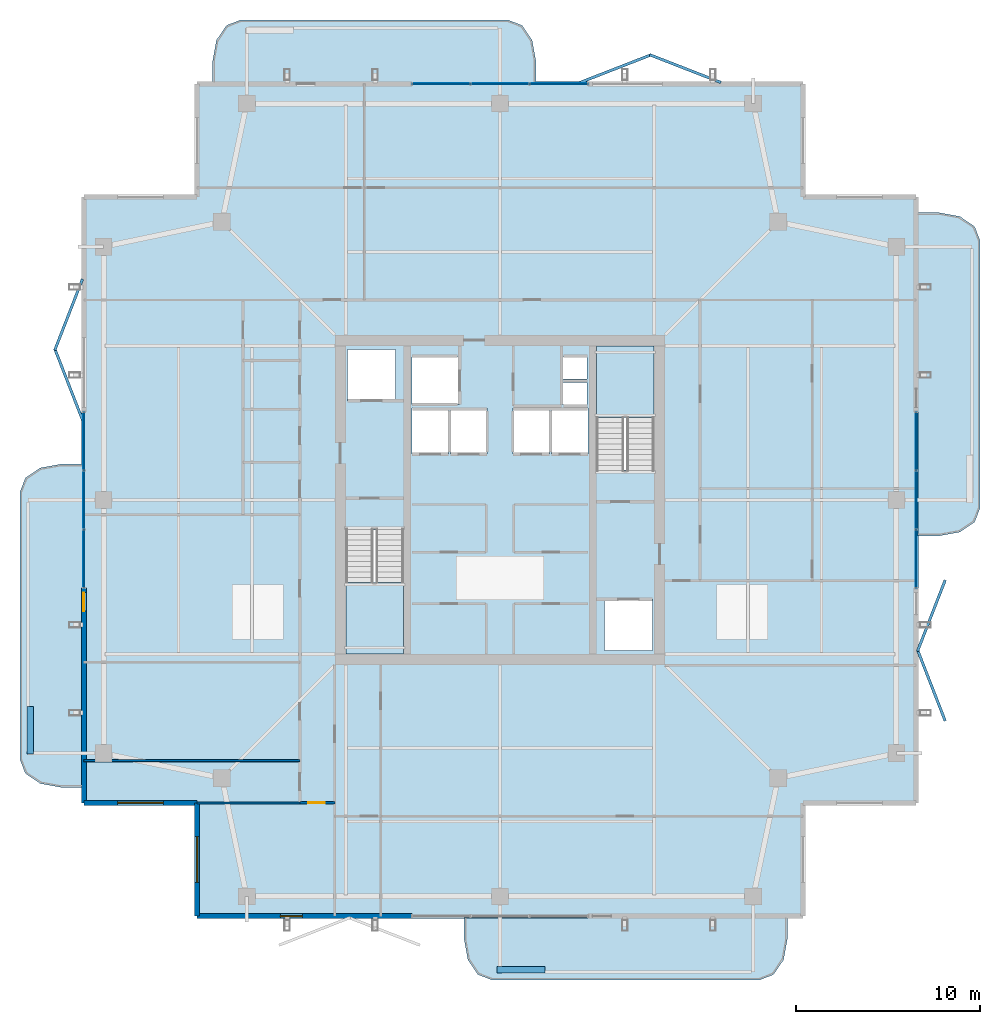
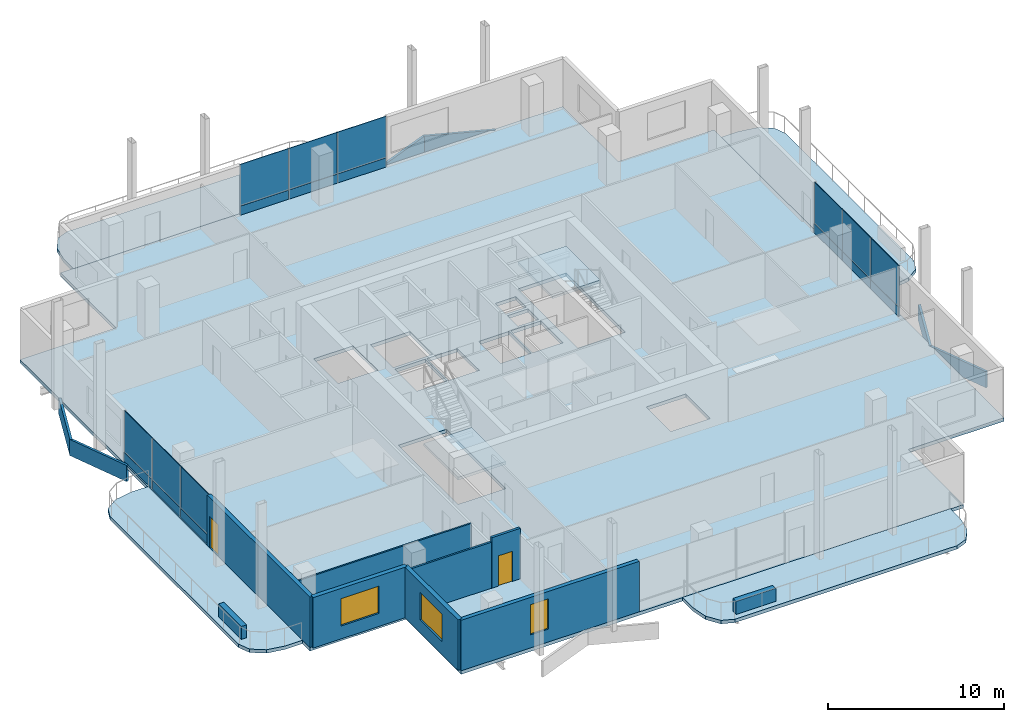
# One storey, part 13 of 20: 24 plates, 9 walls, 7 slabs, 3 windows, 2 doors, 5 openings, 5 elements without a shape of their own.
"""IFC4 building model written with IfcOpenShell, lengths in metres."""

from ifc_helpers import new_model, si_unit, direction, frame, frame_2d, origin, origin_2d, place, context, subcontext, project, spatial, polyline, rectangle, outline, extrude, material, layer, layer_set, type_object, element, fill, aggregate, save


model = new_model("IFC4")

# Units and contexts
model_context = context("Model", 3, precision=1e-05, world=origin(), true_north=direction((0.0, 1.0)))
body_context = subcontext(model_context, "Body", "Model", "MODEL_VIEW")
ifc_project = project(units=[si_unit("LENGTHUNIT", "METRE"), si_unit("AREAUNIT", "SQUARE_METRE"), si_unit("VOLUMEUNIT", "CUBIC_METRE"), si_unit("PLANEANGLEUNIT", "RADIAN"), si_unit("MASSUNIT", "GRAM", prefix="KILO")], contexts=[model_context])

# Site, building, storey
site_placement = place(None, origin())
site = spatial("IfcSite", under=ifc_project, at=site_placement, CompositionType="ELEMENT")
building_placement = place(site_placement, origin())
building = spatial("IfcBuilding", under=site, at=building_placement, Name="Belovzor Exchange Tower", CompositionType="ELEMENT")
storey_placement = place(building_placement, frame((0.0, 0.0, 321.75)))
storey = spatial("IfcBuildingStorey", under=building, at=storey_placement, Name="L80", CompositionType="ELEMENT", Elevation=321.75)

# Slab
ifc_material_1 = material(Name="Concrete C40/50", Category="concrete")
ifc_layer_1 = layer(ifc_material_1, 0.239990234375)
ifc_layer_set_1 = layer_set([ifc_layer_1], Name="Concrete C40/50")
slab_type_1 = type_object("IfcSlabType", Name="Composite High-Rise Floor Deck Slab 240", PredefinedType="FLOOR", material=ifc_layer_set_1)
slab_1_placement = place(storey_placement, frame((0.0, 0.0, -0.239990234375)))
element("IfcSlab", 1, at=slab_1_placement, inside=storey, type_object=slab_type_1, Name="SL-F240 Structural Slab L80", PredefinedType="FLOOR", context=body_context, shape_type="SweptSolid", body=[
    extrude(outline(polyline([(12.300048828125, 6.0), (45.300048828125, 6.0), (45.300048828125, 12.300048828125), (51.60009765625, 12.300048828125), (51.60009765625, 45.300048828125), (45.300048828125, 45.300048828125), (45.300048828125, 51.60009765625), (12.300048828125, 51.60009765625), (12.300048828125, 45.300048828125), (6.0, 45.300048828125), (6.0, 12.300048828125), (12.300048828125, 12.300048828125), (12.300048828125, 6.0)]), holes=[polyline([(20.39990234375, 27.175048828125), (20.39990234375, 20.39990234375), (23.550048828125, 20.39990234375), (23.550048828125, 27.175048828125), (20.39990234375, 27.175048828125)]), polyline([(37.199951171875, 30.425048828125), (37.199951171875, 37.199951171875), (34.050048828125, 37.199951171875), (34.050048828125, 30.425048828125), (37.199951171875, 30.425048828125)]), polyline([(20.5, 34.199951171875), (23.10009765625, 34.199951171875), (23.10009765625, 37.0), (20.5, 37.0), (20.5, 34.199951171875)]), polyline([(34.5, 20.60009765625), (37.10009765625, 20.60009765625), (37.10009765625, 23.39990234375), (34.5, 23.39990234375), (34.5, 20.60009765625)]), polyline([(24.0, 34.0), (26.60009765625, 34.0), (26.60009765625, 36.60009765625), (24.0, 36.60009765625), (24.0, 34.0)]), polyline([(24.0, 31.300048828125), (26.0, 31.300048828125), (26.0, 33.800048828125), (24.0, 33.800048828125), (24.0, 31.300048828125)]), polyline([(26.10009765625, 31.300048828125), (28.10009765625, 31.300048828125), (28.10009765625, 33.800048828125), (26.10009765625, 33.800048828125), (26.10009765625, 31.300048828125)]), polyline([(29.5, 31.300048828125), (31.5, 31.300048828125), (31.5, 33.800048828125), (29.5, 33.800048828125), (29.5, 31.300048828125)]), polyline([(31.60009765625, 31.300048828125), (33.60009765625, 31.300048828125), (33.60009765625, 33.800048828125), (31.60009765625, 33.800048828125), (31.60009765625, 31.300048828125)]), polyline([(32.199951171875, 34.0), (33.550048828125, 34.0), (33.550048828125, 35.199951171875), (32.199951171875, 35.199951171875), (32.199951171875, 34.0)]), polyline([(32.199951171875, 35.39990234375), (33.550048828125, 35.39990234375), (33.550048828125, 36.60009765625), (32.199951171875, 36.60009765625), (32.199951171875, 35.39990234375)])]), origin(), (0.0, 0.0, 1.0), 0.239990234375),
])

# Curtain wall, plates
ifc_material_2 = material(Name="Anodised Aluminium Framing", Category="aluminium")
ifc_layer_2 = layer(ifc_material_2, 0.179931640625)
ifc_layer_set_2 = layer_set([ifc_layer_2], Name="Anodised Aluminium Framing")
curtain_wall_type = type_object("IfcCurtainWallType", Name="Recessed Loggia Low-Iron Triple-Glazed Curtain Wall", PredefinedType="NOTDEFINED", material=ifc_layer_set_2)
curtain_wall_1_placement = place(storey_placement, origin())
curtain_wall_1 = element("IfcCurtainWall", 2, at=curtain_wall_1_placement, inside=storey, type_object=curtain_wall_type, Name="CW3 Recessed Loggia Low-Iron Triple-Glazed Curtain Wall L80", PredefinedType="NOTDEFINED")
ifc_material_3 = material(Name="Solar-Control Triple Glazing", Category="glass")
ifc_layer_3 = layer(ifc_material_3, 0.0439453125)
ifc_layer_set_3 = layer_set([ifc_layer_3], Name="Solar-Control Triple Glazing")
plate_type_1 = type_object("IfcPlateType", Name="Insulated Solar Glazing Curtain Panel 44", PredefinedType="CURTAIN_PANEL", material=ifc_layer_set_3)
plate_1_placement = place(storey_placement, frame((25.60009765625, 51.469970703125, 0.634033203125), z_axis=(0.0, 0.0, 1.0), x_axis=(1.0, 0.0, 0.0)))
plate_1 = element("IfcPlate", 3, at=plate_1_placement, type_object=plate_type_1, Name="GLZ-44 Glazed Curtain Panel 1", PredefinedType="CURTAIN_PANEL", context=body_context, shape_type="SweptSolid", body=[
    extrude(rectangle(XDim=3.18408203125, YDim=0.0439453125, at=origin_2d()), origin(), (0.0, 0.0, 1.0), 2.8759765625),
])
plate_2_placement = place(storey_placement, frame((28.800048828125, 51.469970703125, 0.634033203125), z_axis=(0.0, 0.0, 1.0), x_axis=(1.0, 0.0, 0.0)))
plate_2 = element("IfcPlate", 4, at=plate_2_placement, type_object=plate_type_1, Name="GLZ-44 Glazed Curtain Panel 2", PredefinedType="CURTAIN_PANEL", context=body_context, shape_type="SweptSolid", body=[
    extrude(rectangle(XDim=3.18408203125, YDim=0.0439453125, at=origin_2d()), origin(), (0.0, 0.0, 1.0), 2.8759765625),
])
plate_3_placement = place(storey_placement, frame((32.0, 51.469970703125, 0.634033203125), z_axis=(0.0, 0.0, 1.0), x_axis=(1.0, 0.0, 0.0)))
plate_3 = element("IfcPlate", 5, at=plate_3_placement, type_object=plate_type_1, Name="GLZ-44 Glazed Curtain Panel 3", PredefinedType="CURTAIN_PANEL", context=body_context, shape_type="SweptSolid", body=[
    extrude(rectangle(XDim=3.18408203125, YDim=0.0439453125, at=origin_2d()), origin(), (0.0, 0.0, 1.0), 2.8759765625),
])

curtain_wall_2_placement = place(storey_placement, origin())
curtain_wall_2 = element("IfcCurtainWall", 6, at=curtain_wall_2_placement, inside=storey, type_object=curtain_wall_type, Name="CW3 Recessed Loggia Low-Iron Triple-Glazed Curtain Wall L80", PredefinedType="NOTDEFINED")
plate_4_placement = place(storey_placement, frame((6.1298828125, 25.60009765625, 0.634033203125), z_axis=(0.0, 0.0, 1.0), x_axis=(0.0, 1.0, 0.0)))
plate_4 = element("IfcPlate", 7, at=plate_4_placement, type_object=plate_type_1, Name="GLZ-44 Glazed Curtain Panel 1", PredefinedType="CURTAIN_PANEL", context=body_context, shape_type="SweptSolid", body=[
    extrude(rectangle(XDim=3.18408203125, YDim=0.0439453125, at=origin_2d()), origin(), (0.0, 0.0, 1.0), 2.8759765625),
])
plate_5_placement = place(storey_placement, frame((6.1298828125, 28.800048828125, 0.634033203125), z_axis=(0.0, 0.0, 1.0), x_axis=(0.0, 1.0, 0.0)))
plate_5 = element("IfcPlate", 8, at=plate_5_placement, type_object=plate_type_1, Name="GLZ-44 Glazed Curtain Panel 2", PredefinedType="CURTAIN_PANEL", context=body_context, shape_type="SweptSolid", body=[
    extrude(rectangle(XDim=3.18408203125, YDim=0.0439453125, at=origin_2d()), origin(), (0.0, 0.0, 1.0), 2.8759765625),
])
plate_6_placement = place(storey_placement, frame((6.1298828125, 32.0, 0.634033203125), z_axis=(0.0, 0.0, 1.0), x_axis=(0.0, 1.0, 0.0)))
plate_6 = element("IfcPlate", 9, at=plate_6_placement, type_object=plate_type_1, Name="GLZ-44 Glazed Curtain Panel 3", PredefinedType="CURTAIN_PANEL", context=body_context, shape_type="SweptSolid", body=[
    extrude(rectangle(XDim=3.18408203125, YDim=0.0439453125, at=origin_2d()), origin(), (0.0, 0.0, 1.0), 2.8759765625),
])

curtain_wall_3_placement = place(storey_placement, origin())
curtain_wall_3 = element("IfcCurtainWall", 10, at=curtain_wall_3_placement, inside=storey, type_object=curtain_wall_type, Name="CW3 Recessed Loggia Low-Iron Triple-Glazed Curtain Wall L80", PredefinedType="NOTDEFINED")
plate_7_placement = place(storey_placement, frame((51.469970703125, 32.0, 0.634033203125), z_axis=(0.0, 0.0, 1.0), x_axis=(0.0, -1.0, 0.0)))
plate_7 = element("IfcPlate", 11, at=plate_7_placement, type_object=plate_type_1, Name="GLZ-44 Glazed Curtain Panel 1", PredefinedType="CURTAIN_PANEL", context=body_context, shape_type="SweptSolid", body=[
    extrude(rectangle(XDim=3.18408203125, YDim=0.0439453125, at=origin_2d()), origin(), (0.0, 0.0, 1.0), 2.8759765625),
])
plate_8_placement = place(storey_placement, frame((51.469970703125, 28.800048828125, 0.634033203125), z_axis=(0.0, 0.0, 1.0), x_axis=(0.0, -1.0, 0.0)))
plate_8 = element("IfcPlate", 12, at=plate_8_placement, type_object=plate_type_1, Name="GLZ-44 Glazed Curtain Panel 2", PredefinedType="CURTAIN_PANEL", context=body_context, shape_type="SweptSolid", body=[
    extrude(rectangle(XDim=3.18408203125, YDim=0.0439453125, at=origin_2d()), origin(), (0.0, 0.0, 1.0), 2.8759765625),
])
plate_9_placement = place(storey_placement, frame((51.469970703125, 25.60009765625, 0.634033203125), z_axis=(0.0, 0.0, 1.0), x_axis=(0.0, -1.0, 0.0)))
plate_9 = element("IfcPlate", 13, at=plate_9_placement, type_object=plate_type_1, Name="GLZ-44 Glazed Curtain Panel 3", PredefinedType="CURTAIN_PANEL", context=body_context, shape_type="SweptSolid", body=[
    extrude(rectangle(XDim=3.18408203125, YDim=0.0439453125, at=origin_2d()), origin(), (0.0, 0.0, 1.0), 2.8759765625),
])

# Stair, slab
ifc_material_4 = material(Name="Concrete C40/50", Category="concrete")
stair_type = type_object("IfcStairType", Name="Reinforced Concrete Dogleg Escape Stair 1350", PredefinedType="HALF_TURN_STAIR", material=ifc_material_4)
stair_1_placement = place(storey_placement, origin())
stair_1 = element("IfcStair", 14, at=stair_1_placement, inside=storey, type_object=stair_type, Name="L80 ST-1", PredefinedType="HALF_TURN_STAIR")
ifc_material_5 = material(Name="Concrete C40/50", Category="concrete")
ifc_layer_4 = layer(ifc_material_5, 0.199951171875)
ifc_layer_set_4 = layer_set([ifc_layer_4], Name="Concrete C40/50")
slab_type_2 = type_object("IfcSlabType", Name="Reinforced Concrete Stair Half-Landing Slab 200", PredefinedType="LANDING", material=ifc_layer_set_4)
slab_2_placement = place(storey_placement, frame((0.0, 0.0, 1.675048828125)))
slab_2 = element("IfcSlab", 15, at=slab_2_placement, type_object=slab_type_2, Name="ST-1 landing 1", PredefinedType="LANDING", context=body_context, shape_type="SweptSolid", body=[
    extrude(outline(polyline([(20.39990234375, 24.300048828125), (20.39990234375, 20.39990234375), (23.550048828125, 20.39990234375), (23.550048828125, 24.300048828125), (20.39990234375, 24.300048828125)])), origin(), (0.0, 0.0, 1.0), 0.199951171875),
])
aggregate(stair_1, [slab_2])

stair_2_placement = place(storey_placement, origin())
stair_2 = element("IfcStair", 16, at=stair_2_placement, inside=storey, type_object=stair_type, Name="L80 ST-2", PredefinedType="HALF_TURN_STAIR")
slab_3_placement = place(storey_placement, frame((0.0, 0.0, 1.675048828125)))
slab_3 = element("IfcSlab", 17, at=slab_3_placement, type_object=slab_type_2, Name="ST-2 landing 1", PredefinedType="LANDING", context=body_context, shape_type="SweptSolid", body=[
    extrude(outline(polyline([(37.199951171875, 33.300048828125), (37.199951171875, 37.199951171875), (34.050048828125, 37.199951171875), (34.050048828125, 33.300048828125), (37.199951171875, 33.300048828125)])), origin(), (0.0, 0.0, 1.0), 0.199951171875),
])
aggregate(stair_2, [slab_3])

# Plate
ifc_material_6 = material(Name="Extruded Architectural Terracotta", Category="masonry")
ifc_layer_5 = layer(ifc_material_6, 0.090087890625)
ifc_layer_set_5 = layer_set([ifc_layer_5], Name="Extruded Architectural Terracotta")
plate_type_2 = type_object("IfcPlateType", Name="Terracotta Shadow-Box Spandrel Panel 90", PredefinedType="CURTAIN_PANEL", material=ifc_layer_set_5)
plate_10_placement = place(storey_placement, frame((25.60009765625, 51.469970703125, 0.0), z_axis=(0.0, 0.0, 1.0), x_axis=(1.0, 0.0, 0.0)))
plate_10 = element("IfcPlate", 18, at=plate_10_placement, type_object=plate_type_2, Name="SPD-90 Spandrel Panel 1", PredefinedType="CURTAIN_PANEL", context=body_context, shape_type="SweptSolid", body=[
    extrude(rectangle(XDim=3.18408203125, YDim=0.090087890625, at=origin_2d()), origin(), (0.0, 0.0, 1.0), 0.6298828125),
])

plate_11_placement = place(storey_placement, frame((28.800048828125, 51.469970703125, 0.0), z_axis=(0.0, 0.0, 1.0), x_axis=(1.0, 0.0, 0.0)))
plate_11 = element("IfcPlate", 19, at=plate_11_placement, type_object=plate_type_2, Name="SPD-90 Spandrel Panel 2", PredefinedType="CURTAIN_PANEL", context=body_context, shape_type="SweptSolid", body=[
    extrude(rectangle(XDim=3.18408203125, YDim=0.090087890625, at=origin_2d()), origin(), (0.0, 0.0, 1.0), 0.6298828125),
])

plate_12_placement = place(storey_placement, frame((32.0, 51.469970703125, 0.0), z_axis=(0.0, 0.0, 1.0), x_axis=(1.0, 0.0, 0.0)))
plate_12 = element("IfcPlate", 20, at=plate_12_placement, type_object=plate_type_2, Name="SPD-90 Spandrel Panel 3", PredefinedType="CURTAIN_PANEL", context=body_context, shape_type="SweptSolid", body=[
    extrude(rectangle(XDim=3.18408203125, YDim=0.090087890625, at=origin_2d()), origin(), (0.0, 0.0, 1.0), 0.6298828125),
])

aggregate(curtain_wall_1, [plate_10, plate_1, plate_11, plate_2, plate_12, plate_3])

plate_13_placement = place(storey_placement, frame((6.1298828125, 25.60009765625, 0.0), z_axis=(0.0, 0.0, 1.0), x_axis=(0.0, 1.0, 0.0)))
plate_13 = element("IfcPlate", 21, at=plate_13_placement, type_object=plate_type_2, Name="SPD-90 Spandrel Panel 1", PredefinedType="CURTAIN_PANEL", context=body_context, shape_type="SweptSolid", body=[
    extrude(rectangle(XDim=3.18408203125, YDim=0.090087890625, at=origin_2d()), origin(), (0.0, 0.0, 1.0), 0.6298828125),
])

plate_14_placement = place(storey_placement, frame((6.1298828125, 28.800048828125, 0.0), z_axis=(0.0, 0.0, 1.0), x_axis=(0.0, 1.0, 0.0)))
plate_14 = element("IfcPlate", 22, at=plate_14_placement, type_object=plate_type_2, Name="SPD-90 Spandrel Panel 2", PredefinedType="CURTAIN_PANEL", context=body_context, shape_type="SweptSolid", body=[
    extrude(rectangle(XDim=3.18408203125, YDim=0.090087890625, at=origin_2d()), origin(), (0.0, 0.0, 1.0), 0.6298828125),
])

plate_15_placement = place(storey_placement, frame((6.1298828125, 32.0, 0.0), z_axis=(0.0, 0.0, 1.0), x_axis=(0.0, 1.0, 0.0)))
plate_15 = element("IfcPlate", 23, at=plate_15_placement, type_object=plate_type_2, Name="SPD-90 Spandrel Panel 3", PredefinedType="CURTAIN_PANEL", context=body_context, shape_type="SweptSolid", body=[
    extrude(rectangle(XDim=3.18408203125, YDim=0.090087890625, at=origin_2d()), origin(), (0.0, 0.0, 1.0), 0.6298828125),
])

aggregate(curtain_wall_2, [plate_13, plate_4, plate_14, plate_5, plate_15, plate_6])

plate_16_placement = place(storey_placement, frame((51.469970703125, 32.0, 0.0), z_axis=(0.0, 0.0, 1.0), x_axis=(0.0, -1.0, 0.0)))
plate_16 = element("IfcPlate", 24, at=plate_16_placement, type_object=plate_type_2, Name="SPD-90 Spandrel Panel 1", PredefinedType="CURTAIN_PANEL", context=body_context, shape_type="SweptSolid", body=[
    extrude(rectangle(XDim=3.18408203125, YDim=0.090087890625, at=origin_2d()), origin(), (0.0, 0.0, 1.0), 0.6298828125),
])

plate_17_placement = place(storey_placement, frame((51.469970703125, 28.800048828125, 0.0), z_axis=(0.0, 0.0, 1.0), x_axis=(0.0, -1.0, 0.0)))
plate_17 = element("IfcPlate", 25, at=plate_17_placement, type_object=plate_type_2, Name="SPD-90 Spandrel Panel 2", PredefinedType="CURTAIN_PANEL", context=body_context, shape_type="SweptSolid", body=[
    extrude(rectangle(XDim=3.18408203125, YDim=0.090087890625, at=origin_2d()), origin(), (0.0, 0.0, 1.0), 0.6298828125),
])

plate_18_placement = place(storey_placement, frame((51.469970703125, 25.60009765625, 0.0), z_axis=(0.0, 0.0, 1.0), x_axis=(0.0, -1.0, 0.0)))
plate_18 = element("IfcPlate", 26, at=plate_18_placement, type_object=plate_type_2, Name="SPD-90 Spandrel Panel 3", PredefinedType="CURTAIN_PANEL", context=body_context, shape_type="SweptSolid", body=[
    extrude(rectangle(XDim=3.18408203125, YDim=0.090087890625, at=origin_2d()), origin(), (0.0, 0.0, 1.0), 0.6298828125),
])

aggregate(curtain_wall_3, [plate_16, plate_7, plate_17, plate_8, plate_18, plate_9])

# Slabs
ifc_material_7 = material(Name="Concrete C40/50", Category="concrete")
ifc_layer_6 = layer(ifc_material_7, 0.239990234375)
ifc_layer_set_6 = layer_set([ifc_layer_6], Name="Concrete C40/50")
slab_type_3 = type_object("IfcSlabType", Name="Thermally Broken Upper Balcony Slab 240", PredefinedType="FLOOR", material=ifc_layer_set_6)
slab_4_placement = place(storey_placement, frame((0.0, 0.0, -0.239990234375)))
element("IfcSlab", 27, at=slab_4_placement, inside=storey, type_object=slab_type_3, Name="SL-BAL220 Planted Balcony Loggia L80 South", PredefinedType="FLOOR", context=body_context, shape_type="SweptSolid", body=[
    extrude(outline(polyline([(26.85009765625, 6.014892578125), (26.85009765625, 4.85009765625), (27.051025390625, 3.75), (27.60009765625, 2.945068359375), (28.35009765625, 2.64990234375), (42.949951171875, 2.64990234375), (43.699951171875, 2.945068359375), (44.2490234375, 3.75), (44.449951171875, 4.85009765625), (44.449951171875, 6.014892578125), (26.85009765625, 6.014892578125)])), origin(), (0.0, 0.0, 1.0), 0.239990234375),
])
slab_5_placement = place(storey_placement, frame((0.0, 0.0, -0.239990234375)))
element("IfcSlab", 28, at=slab_5_placement, inside=storey, type_object=slab_type_3, Name="SL-BAL220 Planted Balcony Loggia L80 North", PredefinedType="FLOOR", context=body_context, shape_type="SweptSolid", body=[
    extrude(outline(polyline([(30.75, 51.5849609375), (30.75, 52.75), (30.549072265625, 53.85009765625), (30.0, 54.655029296875), (29.25, 54.949951171875), (14.64990234375, 54.949951171875), (13.89990234375, 54.655029296875), (13.35107421875, 53.85009765625), (13.14990234375, 52.75), (13.14990234375, 51.5849609375), (30.75, 51.5849609375)])), origin(), (0.0, 0.0, 1.0), 0.239990234375),
])
slab_6_placement = place(storey_placement, frame((0.0, 0.0, -0.239990234375)))
element("IfcSlab", 29, at=slab_6_placement, inside=storey, type_object=slab_type_3, Name="SL-BAL220 Planted Balcony Loggia L80 East", PredefinedType="FLOOR", context=body_context, shape_type="SweptSolid", body=[
    extrude(outline(polyline([(51.5849609375, 26.85009765625), (52.75, 26.85009765625), (53.85009765625, 27.051025390625), (54.655029296875, 27.60009765625), (54.949951171875, 28.35009765625), (54.949951171875, 42.949951171875), (54.655029296875, 43.699951171875), (53.85009765625, 44.2490234375), (52.75, 44.449951171875), (51.5849609375, 44.449951171875), (51.5849609375, 26.85009765625)])), origin(), (0.0, 0.0, 1.0), 0.239990234375),
])
slab_7_placement = place(storey_placement, frame((0.0, 0.0, -0.239990234375)))
element("IfcSlab", 30, at=slab_7_placement, inside=storey, type_object=slab_type_3, Name="SL-BAL220 Planted Balcony Loggia L80 West", PredefinedType="FLOOR", context=body_context, shape_type="SweptSolid", body=[
    extrude(outline(polyline([(6.014892578125, 30.75), (4.85009765625, 30.75), (3.75, 30.549072265625), (2.945068359375, 30.0), (2.64990234375, 29.25), (2.64990234375, 14.64990234375), (2.945068359375, 13.89990234375), (3.75, 13.35107421875), (4.85009765625, 13.14990234375), (6.014892578125, 13.14990234375), (6.014892578125, 30.75)])), origin(), (0.0, 0.0, 1.0), 0.239990234375),
])

# Plates
ifc_material_8 = material(Name="Extruded Architectural Terracotta", Category="masonry")
ifc_layer_7 = layer(ifc_material_8, 0.14990234375)
ifc_layer_set_7 = layer_set([ifc_layer_7], Name="Extruded Architectural Terracotta")
plate_type_3 = type_object("IfcPlateType", Name="Upper-Crown Deep Folded Zigzag Terracotta Spandrel Louvre 150", PredefinedType="USERDEFINED", material=ifc_layer_set_7)
for number, where, z_axis, x_axis, name in (
    (31, (52.300048828125, 18.699951171875, -1.10498046875), (0.0, 0.0, 1.0), (-0.362925986758, 0.931817969421, 0.0), "LVR-ZZ3 Zigzag Terracotta Spandrel Louvre L80 E1A"),
    (32, (52.300048828125, 22.5, -1.10498046875), (0.0, 0.0, 1.0), (0.362925986758, 0.931817969421, 0.0), "LVR-ZZ3 Zigzag Terracotta Spandrel Louvre L80 E1B"),
    (33, (35.10009765625, 52.300048828125, -1.10498046875), (0.0, 0.0, 1.0), (0.931817969421, 0.362925986758, 0.0), "LVR-ZZ3 Zigzag Terracotta Spandrel Louvre L80 N2A"),
    (34, (38.89990234375, 52.300048828125, -1.10498046875), (0.0, 0.0, 1.0), (0.931817969421, -0.362925986758, 0.0), "LVR-ZZ3 Zigzag Terracotta Spandrel Louvre L80 N2B"),
    (35, (5.300048828125, 35.10009765625, -1.10498046875), (0.0, 0.0, 1.0), (-0.362925986758, 0.931817969421, 0.0), "LVR-ZZ3 Zigzag Terracotta Spandrel Louvre L80 W2A"),
    (36, (5.300048828125, 38.89990234375, -1.10498046875), (0.0, 0.0, 1.0), (0.362925986758, 0.931817969421, 0.0), "LVR-ZZ3 Zigzag Terracotta Spandrel Louvre L80 W2B"),
):
    element("IfcPlate", number, at=place(storey_placement, frame(where, z_axis=z_axis, x_axis=x_axis)), inside=storey, type_object=plate_type_3, Name=name, ObjectType="SPANDREL_LOUVRE", PredefinedType="USERDEFINED", context=body_context, shape_type="SweptSolid", body=[
        extrude(rectangle(XDim=4.157958984375, YDim=0.14990234375, at=origin_2d()), origin(), (0.0, 0.0, 1.0), 1.1201171875),
    ])

# Walls
ifc_material_9 = material(Name="Acoustic Plasterboard on Galvanised Studs", Category="gypsum")
ifc_layer_8 = layer(ifc_material_9, 0.1201171875)
ifc_layer_set_8 = layer_set([ifc_layer_8], Name="Acoustic Plasterboard on Galvanised Studs")
wall_type_1 = type_object("IfcWallType", Name="Acoustic Double-Stud Partition Wall 120", PredefinedType="PARTITIONING", material=ifc_layer_set_8)
wall_1_placement = place(storey_placement, frame((12.300048828125, 12.300048828125, 0.0), z_axis=(0.0, 0.0, 1.0), x_axis=(1.0, 0.0, 0.0)))
element("IfcWall", 37, at=wall_1_placement, inside=storey, type_object=wall_type_1, Name="W-P120 Partition Wall W-L80-SWS", PredefinedType="PARTITIONING", context=body_context, shape_type="SweptSolid", body=[
    extrude(rectangle(XDim=5.599853515625, YDim=0.1201171875, at=frame_2d((2.7998046875, 0.0))), origin(), (0.0, 0.0, 1.0), 3.195068359375),
])
ifc_material_10 = material(Name="Acoustic Laminated Glass and Aluminium", Category="aluminium")
ifc_layer_9 = layer(ifc_material_10, 0.10009765625)
ifc_layer_set_9 = layer_set([ifc_layer_9], Name="Acoustic Laminated Glass and Aluminium")
wall_type_2 = type_object("IfcWallType", Name="Demountable Executive Glass Partition 100", PredefinedType="MOVABLE", material=ifc_layer_set_9)
wall_2_placement = place(storey_placement, frame((6.1298828125, 14.60009765625, 0.0), z_axis=(0.0, 0.0, 1.0), x_axis=(1.0, 0.0, 0.0)))
element("IfcWall", 38, at=wall_2_placement, inside=storey, type_object=wall_type_2, Name="W-M100 Partition Wall W-L80-WDIV-1", PredefinedType="MOVABLE", context=body_context, shape_type="SweptSolid", body=[
    extrude(rectangle(XDim=11.77001953125, YDim=0.10009765625, at=frame_2d((5.885009765625, 0.0))), origin(), (0.0, 0.0, 1.0), 3.094970703125),
])

# Wall, opening, door
ifc_material_11 = material(Name="Fire-Rated Gypsum Block and Mineral Wool", Category="gypsum")
ifc_layer_10 = layer(ifc_material_11, 0.14990234375)
ifc_layer_set_10 = layer_set([ifc_layer_10], Name="Fire-Rated Gypsum Block and Mineral Wool")
wall_type_3 = type_object("IfcWallType", Name="Fire-Rated Gypsum Block Corridor Wall 150", PredefinedType="PARTITIONING", material=ifc_layer_set_10)
wall_3_placement = place(storey_placement, frame((17.89990234375, 12.300048828125, 0.0), z_axis=(0.0, 0.0, 1.0), x_axis=(1.0, 0.0, 0.0)))
wall_3 = element("IfcWall", 39, at=wall_3_placement, inside=storey, type_object=wall_type_3, Name="W-P150 Partition Wall W-L80-CW-END", PredefinedType="PARTITIONING", context=body_context, shape_type="SweptSolid", body=[
    extrude(rectangle(XDim=1.900146484375, YDim=0.14990234375, at=frame_2d((0.9501953125, 0.0))), origin(), (0.0, 0.0, 1.0), 3.510009765625),
])
opening_1_placement = place(wall_3_placement, frame((0.449951171875, 0.0, 0.0)))
opening_1 = element("IfcOpeningElement", 40, at=opening_1_placement, cuts=wall_3, Name="Opening D-FD60-090", PredefinedType="OPENING", context=body_context, shape_type="SweptSolid", body=[
    extrude(rectangle(XDim=0.89990234375, YDim=2.10009765625, at=frame_2d((0.449951171875, 1.050048828125))), frame((0.0, 0.0849609375, 0.0), z_axis=(0.0, -1.0, 0.0), x_axis=(1.0, 0.0, 0.0)), (0.0, 0.0, 1.0), 0.169921875),
])
ifc_material_12 = material(Name="Acoustic Timber Fire Leaf", Category="wood")
door_type_1 = type_object("IfcDoorType", Name="Core Service & Restroom Fire Door 900x2100", OperationType="NOTDEFINED", PredefinedType="DOOR", material=ifc_material_12)
door_1_placement = place(opening_1_placement, origin())
door_1 = element("IfcDoor", 41, at=door_1_placement, inside=storey, type_object=door_type_1, Name="D-FD60-090 Core Service & Restroom Fire Door 900x2100", OperationType="SINGLE_SWING_LEFT", OverallHeight=2.10009765625, OverallWidth=0.89990234375, PredefinedType="DOOR", context=body_context, shape_type="SweptSolid", body=[
    extrude(rectangle(XDim=0.89990234375, YDim=2.10009765625, at=frame_2d((0.449951171875, 1.050048828125))), frame((0.0, 0.02490234375, 0.0), z_axis=(0.0, -1.0, 0.0), x_axis=(1.0, 0.0, 0.0)), (0.0, 0.0, 1.0), 0.050048828125),
])
fill(opening_1, door_1)

# Wall, opening, window
ifc_material_13 = material(Name="Precast concrete C40/50", Category="concrete")
ifc_layer_11 = layer(ifc_material_13, 0.280029296875)
ifc_layer_set_11 = layer_set([ifc_layer_11], Name="Precast concrete C40/50")
wall_type_4 = type_object("IfcWallType", Name="Precast Concrete Notched Corner Frame Wall 280", PredefinedType="SOLIDWALL", material=ifc_layer_set_11)
wall_4_placement = place(storey_placement, frame((12.300048828125, 6.1298828125, 0.0), z_axis=(0.0, 0.0, 1.0), x_axis=(0.0, 1.0, 0.0)))
wall_4 = element("IfcWall", 42, at=wall_4_placement, inside=storey, type_object=wall_type_4, Name="W-CRN280 Precast Concrete Notched Corner Frame Wall 280 L80", PredefinedType="SOLIDWALL", context=body_context, shape_type="SweptSolid", body=[
    extrude(rectangle(XDim=6.170166015625, YDim=0.280029296875, at=frame_2d((3.0849609375, 0.0))), origin(), (0.0, 0.0, 1.0), 3.510009765625),
])
opening_2_placement = place(wall_4_placement, frame((1.8349609375, 0.0, 0.89990234375)))
opening_2 = element("IfcOpeningElement", 43, at=opening_2_placement, cuts=wall_4, Name="Opening WN-CRN250", PredefinedType="OPENING", context=body_context, shape_type="SweptSolid", body=[
    extrude(rectangle(XDim=2.5, YDim=1.89990234375, at=frame_2d((1.25, 0.949951171875))), frame((0.0, 0.14990234375, 0.0), z_axis=(0.0, -1.0, 0.0), x_axis=(1.0, 0.0, 0.0)), (0.0, 0.0, 1.0), 0.300048828125),
])
ifc_material_14 = material(Name="Thermally Broken Aluminium and Triple Glazing", Category="aluminium")
window_type_1 = type_object("IfcWindowType", Name="Streamline Moderne Corner Wrap Ribbon Window 2500x1900", PartitioningType="SINGLE_PANEL", PredefinedType="WINDOW", material=ifc_material_14)
window_1_placement = place(opening_2_placement, origin())
window_1 = element("IfcWindow", 44, at=window_1_placement, inside=storey, type_object=window_type_1, Name="WN-CRN250 Streamline Moderne Corner Wrap Ribbon Window 2500x1900", OverallHeight=1.89990234375, OverallWidth=2.5, PartitioningType="SINGLE_PANEL", PredefinedType="WINDOW", context=body_context, shape_type="SweptSolid", body=[
    extrude(rectangle(XDim=2.5, YDim=1.89990234375, at=frame_2d((1.25, 0.949951171875))), frame((0.0, 0.030029296875, 0.0), z_axis=(0.0, -1.0, 0.0), x_axis=(1.0, 0.0, 0.0)), (0.0, 0.0, 1.0), 0.06005859375),
])
fill(opening_2, window_1)

wall_5_placement = place(storey_placement, frame((12.300048828125, 12.300048828125, 0.0), z_axis=(0.0, 0.0, 1.0), x_axis=(-1.0, 0.0, 0.0)))
wall_5 = element("IfcWall", 45, at=wall_5_placement, inside=storey, type_object=wall_type_4, Name="W-CRN280 Precast Concrete Notched Corner Frame Wall 280 L80", PredefinedType="SOLIDWALL", context=body_context, shape_type="SweptSolid", body=[
    extrude(rectangle(XDim=6.170166015625, YDim=0.280029296875, at=frame_2d((3.0849609375, 0.0))), origin(), (0.0, 0.0, 1.0), 3.510009765625),
])
opening_3_placement = place(wall_5_placement, frame((1.8349609375, 0.0, 0.89990234375)))
opening_3 = element("IfcOpeningElement", 46, at=opening_3_placement, cuts=wall_5, Name="Opening WN-CRN250", PredefinedType="OPENING", context=body_context, shape_type="SweptSolid", body=[
    extrude(rectangle(XDim=2.5, YDim=1.89990234375, at=frame_2d((1.25, 0.949951171875))), frame((0.0, 0.14990234375, 0.0), z_axis=(0.0, -1.0, 0.0), x_axis=(1.0, 0.0, 0.0)), (0.0, 0.0, 1.0), 0.300048828125),
])
window_2_placement = place(opening_3_placement, origin())
window_2 = element("IfcWindow", 47, at=window_2_placement, inside=storey, type_object=window_type_1, Name="WN-CRN250 Streamline Moderne Corner Wrap Ribbon Window 2500x1900", OverallHeight=1.89990234375, OverallWidth=2.5, PartitioningType="SINGLE_PANEL", PredefinedType="WINDOW", context=body_context, shape_type="SweptSolid", body=[
    extrude(rectangle(XDim=2.5, YDim=1.89990234375, at=frame_2d((1.25, 0.949951171875))), frame((0.0, 0.030029296875, 0.0), z_axis=(0.0, -1.0, 0.0), x_axis=(1.0, 0.0, 0.0)), (0.0, 0.0, 1.0), 0.06005859375),
])
fill(opening_3, window_2)

ifc_material_15 = material(Name="Precast concrete C40/50", Category="concrete")
ifc_layer_12 = layer(ifc_material_15, 0.260009765625)
ifc_layer_set_12 = layer_set([ifc_layer_12], Name="Precast concrete C40/50")
wall_type_5 = type_object("IfcWallType", Name="Precast Concrete Perimeter Loggia Frame Wall 260", PredefinedType="SOLIDWALL", material=ifc_layer_set_12)
wall_6_placement = place(storey_placement, frame((24.0, 6.1298828125, 0.0), z_axis=(0.0, 0.0, 1.0), x_axis=(-1.0, 0.0, 0.0)))
wall_6 = element("IfcWall", 48, at=wall_6_placement, inside=storey, type_object=wall_type_5, Name="W-EXT260 Precast Concrete Perimeter Loggia Frame Wall 260 L80", PredefinedType="SOLIDWALL", context=body_context, shape_type="SweptSolid", body=[
    extrude(rectangle(XDim=11.699951171875, YDim=0.260009765625, at=frame_2d((5.85009765625, 0.0))), origin(), (0.0, 0.0, 1.0), 3.510009765625),
])
opening_4_placement = place(wall_6_placement, frame((5.964111328125, 0.0, 0.89990234375)))
opening_4 = element("IfcOpeningElement", 49, at=opening_4_placement, cuts=wall_6, Name="Opening WN-CRN120", PredefinedType="OPENING", context=body_context, shape_type="SweptSolid", body=[
    extrude(rectangle(XDim=1.199951171875, YDim=2.10009765625, at=frame_2d((0.60009765625, 1.050048828125))), frame((0.0, 0.139892578125, 0.0), z_axis=(0.0, -1.0, 0.0), x_axis=(1.0, 0.0, 0.0)), (0.0, 0.0, 1.0), 0.280029296875),
])
ifc_material_16 = material(Name="Thermally Broken Aluminium and Triple Glazing", Category="aluminium")
window_type_2 = type_object("IfcWindowType", Name="Streamline Notched Corner Window 1200x2100", PartitioningType="SINGLE_PANEL", PredefinedType="WINDOW", material=ifc_material_16)
window_3_placement = place(opening_4_placement, origin())
window_3 = element("IfcWindow", 50, at=window_3_placement, inside=storey, type_object=window_type_2, Name="WN-CRN120 Streamline Notched Corner Window 1200x2100", OverallHeight=2.10009765625, OverallWidth=1.199951171875, PartitioningType="SINGLE_PANEL", PredefinedType="WINDOW", context=body_context, shape_type="SweptSolid", body=[
    extrude(rectangle(XDim=1.199951171875, YDim=2.10009765625, at=frame_2d((0.60009765625, 1.050048828125))), frame((0.0, 0.030029296875, 0.0), z_axis=(0.0, -1.0, 0.0), x_axis=(1.0, 0.0, 0.0)), (0.0, 0.0, 1.0), 0.06005859375),
])
fill(opening_4, window_3)

# Wall, opening, door
wall_7_placement = place(storey_placement, frame((6.1298828125, 12.300048828125, 0.0), z_axis=(0.0, 0.0, 1.0), x_axis=(0.0, 1.0, 0.0)))
wall_7 = element("IfcWall", 51, at=wall_7_placement, inside=storey, type_object=wall_type_5, Name="W-EXT260 Precast Concrete Perimeter Loggia Frame Wall 260 L80", PredefinedType="SOLIDWALL", context=body_context, shape_type="SweptSolid", body=[
    extrude(rectangle(XDim=11.699951171875, YDim=0.260009765625, at=frame_2d((5.85009765625, 0.0))), origin(), (0.0, 0.0, 1.0), 3.510009765625),
])
opening_5_placement = place(wall_7_placement, frame((10.449951171875, 0.0, 0.0)))
opening_5 = element("IfcOpeningElement", 52, at=opening_5_placement, cuts=wall_7, Name="Opening D-BAL100", PredefinedType="OPENING", context=body_context, shape_type="SweptSolid", body=[
    extrude(rectangle(XDim=1.0, YDim=2.199951171875, at=frame_2d((0.5, 1.10009765625))), frame((0.0, 0.139892578125, 0.0), z_axis=(0.0, -1.0, 0.0), x_axis=(1.0, 0.0, 0.0)), (0.0, 0.0, 1.0), 0.280029296875),
])
ifc_material_17 = material(Name="Thermally Broken Anodised Aluminium and Laminated Glass", Category="aluminium")
door_type_2 = type_object("IfcDoorType", Name="Planted Loggia Terrace Glazed Door 1000x2200", OperationType="SINGLE_SWING_LEFT", PredefinedType="DOOR", material=ifc_material_17)
door_2_placement = place(opening_5_placement, origin())
door_2 = element("IfcDoor", 53, at=door_2_placement, inside=storey, type_object=door_type_2, Name="D-BAL100 Balcony Terrace Door L80 W", OperationType="SINGLE_SWING_RIGHT", OverallHeight=2.199951171875, OverallWidth=1.0, PredefinedType="DOOR", context=body_context, shape_type="SweptSolid", body=[
    extrude(rectangle(XDim=1.0, YDim=2.199951171875, at=frame_2d((0.5, 1.10009765625))), frame((0.0, 0.02490234375, 0.0), z_axis=(0.0, -1.0, 0.0), x_axis=(1.0, 0.0, 0.0)), (0.0, 0.0, 1.0), 0.050048828125),
])
fill(opening_5, door_2)

# Walls
ifc_material_18 = material(Name="Precast concrete C40/50", Category="concrete")
ifc_layer_13 = layer(ifc_material_18, 0.35009765625)
ifc_layer_set_13 = layer_set([ifc_layer_13], Name="Precast concrete C40/50")
wall_type_6 = type_object("IfcWallType", Name="Precast Concrete Structural Tree Planter Trough 350", PredefinedType="PARAPET", material=ifc_layer_set_13)
for number, where, z_axis, x_axis, name in (
    (54, (28.64990234375, 3.199951171875, 0.0), (0.0, 0.0, 1.0), (1.0, 0.0, 0.0), "PT-350 Precast Concrete Structural Tree Planter Trough 350 L80"),
    (55, (3.199951171875, 14.949951171875, 0.0), (0.0, 0.0, 1.0), (0.0, 1.0, 0.0), "PT-350 Precast Concrete Structural Tree Planter Trough 350 L80"),
):
    element("IfcWall", number, at=place(storey_placement, frame(where, z_axis=z_axis, x_axis=x_axis)), inside=storey, type_object=wall_type_6, Name=name, PredefinedType="PARAPET", context=body_context, shape_type="SweptSolid", body=[
        extrude(rectangle(XDim=2.60009765625, YDim=0.35009765625, at=frame_2d((1.300048828125, 0.0))), origin(), (0.0, 0.0, 1.0), 0.89990234375),
    ])

save(model, "model.ifc")
